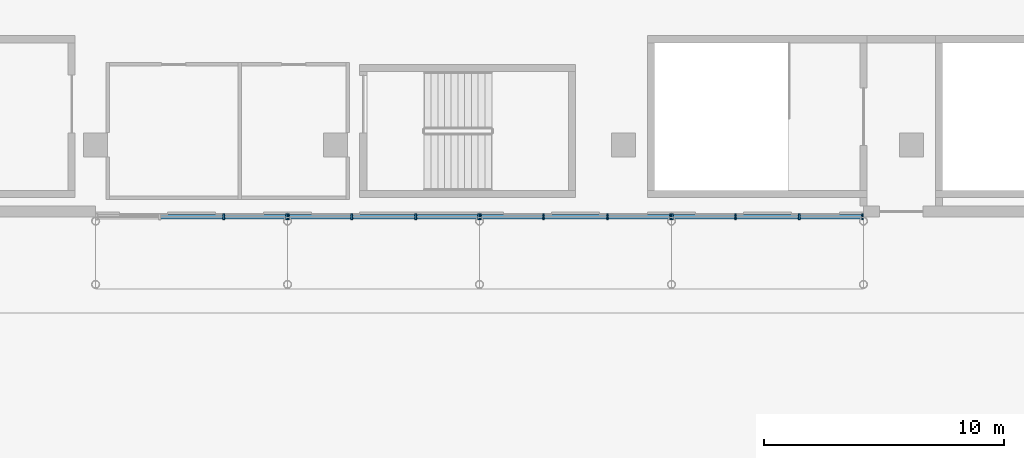
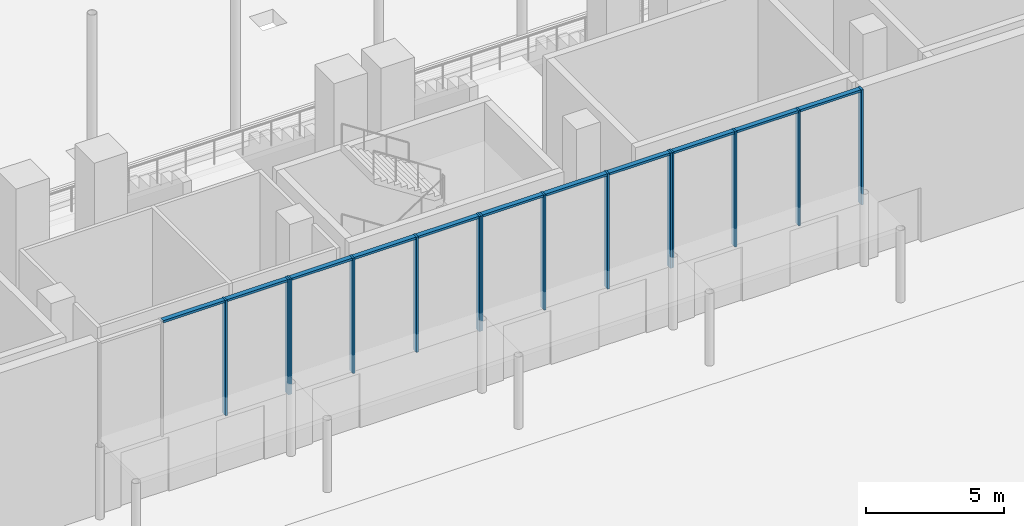
# One storey, part 16 of 41: 25 members, 4 elements without a shape of their own.
"""IFC4 building model written with IfcOpenShell, lengths in metres."""

from ifc_helpers import new_model, si_unit, direction, frame, origin, origin_2d, place, context, subcontext, project, spatial, rectangle, extrude, material, material_profile, profile_set, type_object, element, aggregate, save


model = new_model("IFC4")

# Units and contexts
model_context = context("Model", 3, precision=1e-05, world=origin(), true_north=direction((0.0, 1.0)))
body_context = subcontext(model_context, "Body", "Model", "MODEL_VIEW")
ifc_project = project(units=[si_unit("LENGTHUNIT", "METRE"), si_unit("AREAUNIT", "SQUARE_METRE"), si_unit("VOLUMEUNIT", "CUBIC_METRE"), si_unit("PLANEANGLEUNIT", "RADIAN"), si_unit("MASSUNIT", "GRAM", prefix="KILO")], contexts=[model_context])

# Site, building, storey
site_placement = place(None, origin())
site = spatial("IfcSite", under=ifc_project, at=site_placement, CompositionType="ELEMENT")
building_placement = place(site_placement, origin())
building = spatial("IfcBuilding", under=site, at=building_placement, Name="Wharfspan Tower", CompositionType="ELEMENT")
storey_placement = place(building_placement, origin())
storey = spatial("IfcBuildingStorey", under=building, at=storey_placement, Name="L00", CompositionType="ELEMENT", Elevation=0.0)

# Curtain wall, members
ifc_material = material(Name="Aluminium 6063-T6", Category="aluminium")
curtain_wall_type = type_object("IfcCurtainWallType", Name="CURTAIN WALL STATION SCREEN", PredefinedType="NOTDEFINED", material=ifc_material)
curtain_wall_1_placement = place(storey_placement, origin())
curtain_wall_1 = element("IfcCurtainWall", 1, at=curtain_wall_1_placement, inside=storey, type_object=curtain_wall_type, Name="Station entrance screen PF1.1", PredefinedType="NOTDEFINED")
ifc_material_profile_1 = material_profile(ifc_material, rectangle(XDim=0.25, YDim=0.080078, at=origin_2d()))
ifc_profile_set_1 = profile_set([ifc_material_profile_1], Name="Aluminium 6063-T6")
member_type_1 = type_object("IfcMemberType", Name="MULLION STATION SCREEN 80x250", PredefinedType="MULLION", material=ifc_profile_set_1)
member_1_placement = place(storey_placement, frame((35.333252, -32.0, 2.600098), z_axis=(0.0, 0.0, 1.0), x_axis=(0.0, 1.0, 0.0)))
member_1 = element("IfcMember", 2, at=member_1_placement, type_object=member_type_1, Name="Station entrance screen PF1.1 mullion 3", PredefinedType="MULLION", context=body_context, shape_type="SweptSolid", body=[
    extrude(rectangle(XDim=0.25, YDim=0.080078, at=origin_2d()), origin(), (0.0, 0.0, 1.0), 5.099854),
])
member_2_placement = place(storey_placement, frame((37.959961, -32.0, 2.600098), z_axis=(0.0, 0.0, 1.0), x_axis=(0.0, 1.0, 0.0)))
member_2 = element("IfcMember", 3, at=member_2_placement, type_object=member_type_1, Name="Station entrance screen PF1.1 mullion 4", PredefinedType="MULLION", context=body_context, shape_type="SweptSolid", body=[
    extrude(rectangle(XDim=0.25, YDim=0.080078, at=origin_2d()), origin(), (0.0, 0.0, 1.0), 5.099854),
])

curtain_wall_2_placement = place(storey_placement, origin())
curtain_wall_2 = element("IfcCurtainWall", 4, at=curtain_wall_2_placement, inside=storey, type_object=curtain_wall_type, Name="Station entrance screen PF1.2", PredefinedType="NOTDEFINED")
member_3_placement = place(storey_placement, frame((38.040039, -32.0, 2.600098), z_axis=(0.0, 0.0, 1.0), x_axis=(0.0, 1.0, 0.0)))
member_3 = element("IfcMember", 5, at=member_3_placement, type_object=member_type_1, Name="Station entrance screen PF1.2 mullion 1", PredefinedType="MULLION", context=body_context, shape_type="SweptSolid", body=[
    extrude(rectangle(XDim=0.25, YDim=0.080078, at=origin_2d()), origin(), (0.0, 0.0, 1.0), 5.099854),
])
member_4_placement = place(storey_placement, frame((40.666748, -32.0, 2.600098), z_axis=(0.0, 0.0, 1.0), x_axis=(0.0, 1.0, 0.0)))
member_4 = element("IfcMember", 6, at=member_4_placement, type_object=member_type_1, Name="Station entrance screen PF1.2 mullion 2", PredefinedType="MULLION", context=body_context, shape_type="SweptSolid", body=[
    extrude(rectangle(XDim=0.25, YDim=0.080078, at=origin_2d()), origin(), (0.0, 0.0, 1.0), 5.099854),
])
member_5_placement = place(storey_placement, frame((43.333252, -32.0, 2.600098), z_axis=(0.0, 0.0, 1.0), x_axis=(0.0, 1.0, 0.0)))
member_5 = element("IfcMember", 7, at=member_5_placement, type_object=member_type_1, Name="Station entrance screen PF1.2 mullion 3", PredefinedType="MULLION", context=body_context, shape_type="SweptSolid", body=[
    extrude(rectangle(XDim=0.25, YDim=0.080078, at=origin_2d()), origin(), (0.0, 0.0, 1.0), 5.099854),
])
member_6_placement = place(storey_placement, frame((45.959961, -32.0, 2.600098), z_axis=(0.0, 0.0, 1.0), x_axis=(0.0, 1.0, 0.0)))
member_6 = element("IfcMember", 8, at=member_6_placement, type_object=member_type_1, Name="Station entrance screen PF1.2 mullion 4", PredefinedType="MULLION", context=body_context, shape_type="SweptSolid", body=[
    extrude(rectangle(XDim=0.25, YDim=0.080078, at=origin_2d()), origin(), (0.0, 0.0, 1.0), 5.099854),
])

curtain_wall_3_placement = place(storey_placement, origin())
curtain_wall_3 = element("IfcCurtainWall", 9, at=curtain_wall_3_placement, inside=storey, type_object=curtain_wall_type, Name="Station entrance screen PF1.3", PredefinedType="NOTDEFINED")
member_7_placement = place(storey_placement, frame((46.040039, -32.0, 2.600098), z_axis=(0.0, 0.0, 1.0), x_axis=(0.0, 1.0, 0.0)))
member_7 = element("IfcMember", 10, at=member_7_placement, type_object=member_type_1, Name="Station entrance screen PF1.3 mullion 1", PredefinedType="MULLION", context=body_context, shape_type="SweptSolid", body=[
    extrude(rectangle(XDim=0.25, YDim=0.080078, at=origin_2d()), origin(), (0.0, 0.0, 1.0), 5.099854),
])
member_8_placement = place(storey_placement, frame((48.666748, -32.0, 2.600098), z_axis=(0.0, 0.0, 1.0), x_axis=(0.0, 1.0, 0.0)))
member_8 = element("IfcMember", 11, at=member_8_placement, type_object=member_type_1, Name="Station entrance screen PF1.3 mullion 2", PredefinedType="MULLION", context=body_context, shape_type="SweptSolid", body=[
    extrude(rectangle(XDim=0.25, YDim=0.080078, at=origin_2d()), origin(), (0.0, 0.0, 1.0), 5.099854),
])
member_9_placement = place(storey_placement, frame((51.333252, -32.0, 2.600098), z_axis=(0.0, 0.0, 1.0), x_axis=(0.0, 1.0, 0.0)))
member_9 = element("IfcMember", 12, at=member_9_placement, type_object=member_type_1, Name="Station entrance screen PF1.3 mullion 3", PredefinedType="MULLION", context=body_context, shape_type="SweptSolid", body=[
    extrude(rectangle(XDim=0.25, YDim=0.080078, at=origin_2d()), origin(), (0.0, 0.0, 1.0), 5.099854),
])
member_10_placement = place(storey_placement, frame((53.959961, -32.0, 2.600098), z_axis=(0.0, 0.0, 1.0), x_axis=(0.0, 1.0, 0.0)))
member_10 = element("IfcMember", 13, at=member_10_placement, type_object=member_type_1, Name="Station entrance screen PF1.3 mullion 4", PredefinedType="MULLION", context=body_context, shape_type="SweptSolid", body=[
    extrude(rectangle(XDim=0.25, YDim=0.080078, at=origin_2d()), origin(), (0.0, 0.0, 1.0), 5.099854),
])

curtain_wall_4_placement = place(storey_placement, origin())
curtain_wall_4 = element("IfcCurtainWall", 14, at=curtain_wall_4_placement, inside=storey, type_object=curtain_wall_type, Name="Station entrance screen PF1.4", PredefinedType="NOTDEFINED")
member_11_placement = place(storey_placement, frame((54.040039, -32.0, 2.600098), z_axis=(0.0, 0.0, 1.0), x_axis=(0.0, 1.0, 0.0)))
member_11 = element("IfcMember", 15, at=member_11_placement, type_object=member_type_1, Name="Station entrance screen PF1.4 mullion 1", PredefinedType="MULLION", context=body_context, shape_type="SweptSolid", body=[
    extrude(rectangle(XDim=0.25, YDim=0.080078, at=origin_2d()), origin(), (0.0, 0.0, 1.0), 5.099854),
])
member_12_placement = place(storey_placement, frame((56.666748, -32.0, 2.600098), z_axis=(0.0, 0.0, 1.0), x_axis=(0.0, 1.0, 0.0)))
member_12 = element("IfcMember", 16, at=member_12_placement, type_object=member_type_1, Name="Station entrance screen PF1.4 mullion 2", PredefinedType="MULLION", context=body_context, shape_type="SweptSolid", body=[
    extrude(rectangle(XDim=0.25, YDim=0.080078, at=origin_2d()), origin(), (0.0, 0.0, 1.0), 5.099854),
])
member_13_placement = place(storey_placement, frame((59.333252, -32.0, 2.600098), z_axis=(0.0, 0.0, 1.0), x_axis=(0.0, 1.0, 0.0)))
member_13 = element("IfcMember", 17, at=member_13_placement, type_object=member_type_1, Name="Station entrance screen PF1.4 mullion 3", PredefinedType="MULLION", context=body_context, shape_type="SweptSolid", body=[
    extrude(rectangle(XDim=0.25, YDim=0.080078, at=origin_2d()), origin(), (0.0, 0.0, 1.0), 5.099854),
])
member_14_placement = place(storey_placement, frame((61.959961, -32.0, 2.600098), z_axis=(0.0, 0.0, 1.0), x_axis=(0.0, 1.0, 0.0)))
member_14 = element("IfcMember", 18, at=member_14_placement, type_object=member_type_1, Name="Station entrance screen PF1.4 mullion 4", PredefinedType="MULLION", context=body_context, shape_type="SweptSolid", body=[
    extrude(rectangle(XDim=0.25, YDim=0.080078, at=origin_2d()), origin(), (0.0, 0.0, 1.0), 5.099854),
])

# Member
ifc_material_profile_2 = material_profile(ifc_material, rectangle(XDim=0.199951, YDim=0.100098, at=origin_2d()))
ifc_profile_set_2 = profile_set([ifc_material_profile_2], Name="Aluminium 6063-T6")
member_type_2 = type_object("IfcMemberType", Name="TRANSOM STATION SCREEN 100x200", PredefinedType="USERDEFINED", material=ifc_profile_set_2)
member_15_placement = place(storey_placement, frame((32.706787, -32.0, 7.649902), z_axis=(1.0, 0.0, 0.0), x_axis=(0.0, 1.0, 0.0)))
member_15 = element("IfcMember", 19, at=member_15_placement, type_object=member_type_2, Name="Station entrance screen PF1.1 transom 2", ObjectType="TRANSOM", PredefinedType="USERDEFINED", context=body_context, shape_type="SweptSolid", body=[
    extrude(rectangle(XDim=0.199951, YDim=0.100098, at=origin_2d()), origin(), (0.0, 0.0, 1.0), 2.586426),
])

member_16_placement = place(storey_placement, frame((35.373291, -32.0, 7.649902), z_axis=(1.0, 0.0, 0.0), x_axis=(0.0, 1.0, 0.0)))
member_16 = element("IfcMember", 20, at=member_16_placement, type_object=member_type_2, Name="Station entrance screen PF1.1 transom 3", ObjectType="TRANSOM", PredefinedType="USERDEFINED", context=body_context, shape_type="SweptSolid", body=[
    extrude(rectangle(XDim=0.199951, YDim=0.100098, at=origin_2d()), origin(), (0.0, 0.0, 1.0), 2.546631),
])

aggregate(curtain_wall_1, [member_1, member_2, member_15, member_16])

member_17_placement = place(storey_placement, frame((38.080078, -32.0, 7.649902), z_axis=(1.0, 0.0, 0.0), x_axis=(0.0, 1.0, 0.0)))
member_17 = element("IfcMember", 21, at=member_17_placement, type_object=member_type_2, Name="Station entrance screen PF1.2 transom 1", ObjectType="TRANSOM", PredefinedType="USERDEFINED", context=body_context, shape_type="SweptSolid", body=[
    extrude(rectangle(XDim=0.199951, YDim=0.100098, at=origin_2d()), origin(), (0.0, 0.0, 1.0), 2.546631),
])

member_18_placement = place(storey_placement, frame((40.706787, -32.0, 7.649902), z_axis=(1.0, 0.0, 0.0), x_axis=(0.0, 1.0, 0.0)))
member_18 = element("IfcMember", 22, at=member_18_placement, type_object=member_type_2, Name="Station entrance screen PF1.2 transom 2", ObjectType="TRANSOM", PredefinedType="USERDEFINED", context=body_context, shape_type="SweptSolid", body=[
    extrude(rectangle(XDim=0.199951, YDim=0.100098, at=origin_2d()), origin(), (0.0, 0.0, 1.0), 2.586426),
])

member_19_placement = place(storey_placement, frame((43.373291, -32.0, 7.649902), z_axis=(1.0, 0.0, 0.0), x_axis=(0.0, 1.0, 0.0)))
member_19 = element("IfcMember", 23, at=member_19_placement, type_object=member_type_2, Name="Station entrance screen PF1.2 transom 3", ObjectType="TRANSOM", PredefinedType="USERDEFINED", context=body_context, shape_type="SweptSolid", body=[
    extrude(rectangle(XDim=0.199951, YDim=0.100098, at=origin_2d()), origin(), (0.0, 0.0, 1.0), 2.546631),
])

aggregate(curtain_wall_2, [member_3, member_4, member_5, member_6, member_17, member_18, member_19])

member_20_placement = place(storey_placement, frame((46.080078, -32.0, 7.649902), z_axis=(1.0, 0.0, 0.0), x_axis=(0.0, 1.0, 0.0)))
member_20 = element("IfcMember", 24, at=member_20_placement, type_object=member_type_2, Name="Station entrance screen PF1.3 transom 1", ObjectType="TRANSOM", PredefinedType="USERDEFINED", context=body_context, shape_type="SweptSolid", body=[
    extrude(rectangle(XDim=0.199951, YDim=0.100098, at=origin_2d()), origin(), (0.0, 0.0, 1.0), 2.546631),
])

member_21_placement = place(storey_placement, frame((48.706787, -32.0, 7.649902), z_axis=(1.0, 0.0, 0.0), x_axis=(0.0, 1.0, 0.0)))
member_21 = element("IfcMember", 25, at=member_21_placement, type_object=member_type_2, Name="Station entrance screen PF1.3 transom 2", ObjectType="TRANSOM", PredefinedType="USERDEFINED", context=body_context, shape_type="SweptSolid", body=[
    extrude(rectangle(XDim=0.199951, YDim=0.100098, at=origin_2d()), origin(), (0.0, 0.0, 1.0), 2.586426),
])

member_22_placement = place(storey_placement, frame((51.373291, -32.0, 7.649902), z_axis=(1.0, 0.0, 0.0), x_axis=(0.0, 1.0, 0.0)))
member_22 = element("IfcMember", 26, at=member_22_placement, type_object=member_type_2, Name="Station entrance screen PF1.3 transom 3", ObjectType="TRANSOM", PredefinedType="USERDEFINED", context=body_context, shape_type="SweptSolid", body=[
    extrude(rectangle(XDim=0.199951, YDim=0.100098, at=origin_2d()), origin(), (0.0, 0.0, 1.0), 2.546631),
])

aggregate(curtain_wall_3, [member_7, member_8, member_9, member_10, member_20, member_21, member_22])

member_23_placement = place(storey_placement, frame((54.080078, -32.0, 7.649902), z_axis=(1.0, 0.0, 0.0), x_axis=(0.0, 1.0, 0.0)))
member_23 = element("IfcMember", 27, at=member_23_placement, type_object=member_type_2, Name="Station entrance screen PF1.4 transom 1", ObjectType="TRANSOM", PredefinedType="USERDEFINED", context=body_context, shape_type="SweptSolid", body=[
    extrude(rectangle(XDim=0.199951, YDim=0.100098, at=origin_2d()), origin(), (0.0, 0.0, 1.0), 2.546631),
])

member_24_placement = place(storey_placement, frame((56.706787, -32.0, 7.649902), z_axis=(1.0, 0.0, 0.0), x_axis=(0.0, 1.0, 0.0)))
member_24 = element("IfcMember", 28, at=member_24_placement, type_object=member_type_2, Name="Station entrance screen PF1.4 transom 2", ObjectType="TRANSOM", PredefinedType="USERDEFINED", context=body_context, shape_type="SweptSolid", body=[
    extrude(rectangle(XDim=0.199951, YDim=0.100098, at=origin_2d()), origin(), (0.0, 0.0, 1.0), 2.586426),
])

member_25_placement = place(storey_placement, frame((59.373291, -32.0, 7.649902), z_axis=(1.0, 0.0, 0.0), x_axis=(0.0, 1.0, 0.0)))
member_25 = element("IfcMember", 29, at=member_25_placement, type_object=member_type_2, Name="Station entrance screen PF1.4 transom 3", ObjectType="TRANSOM", PredefinedType="USERDEFINED", context=body_context, shape_type="SweptSolid", body=[
    extrude(rectangle(XDim=0.199951, YDim=0.100098, at=origin_2d()), origin(), (0.0, 0.0, 1.0), 2.546631),
])

aggregate(curtain_wall_4, [member_11, member_12, member_13, member_14, member_23, member_24, member_25])

save(model, "model.ifc")
